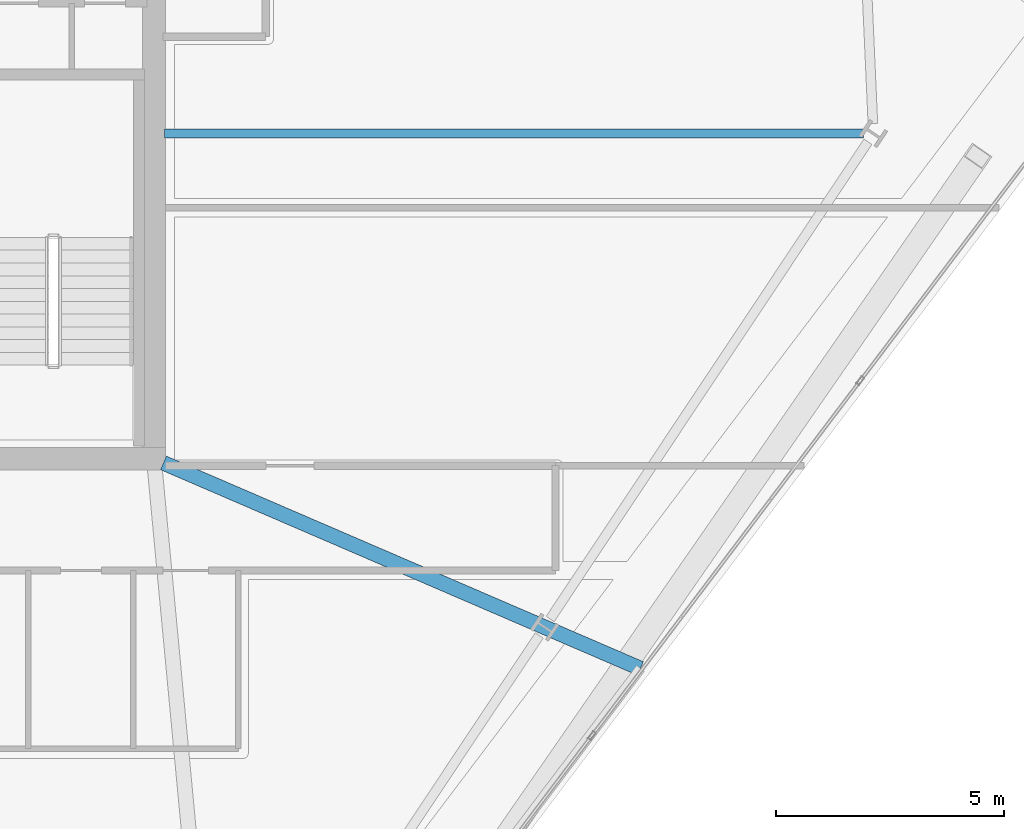
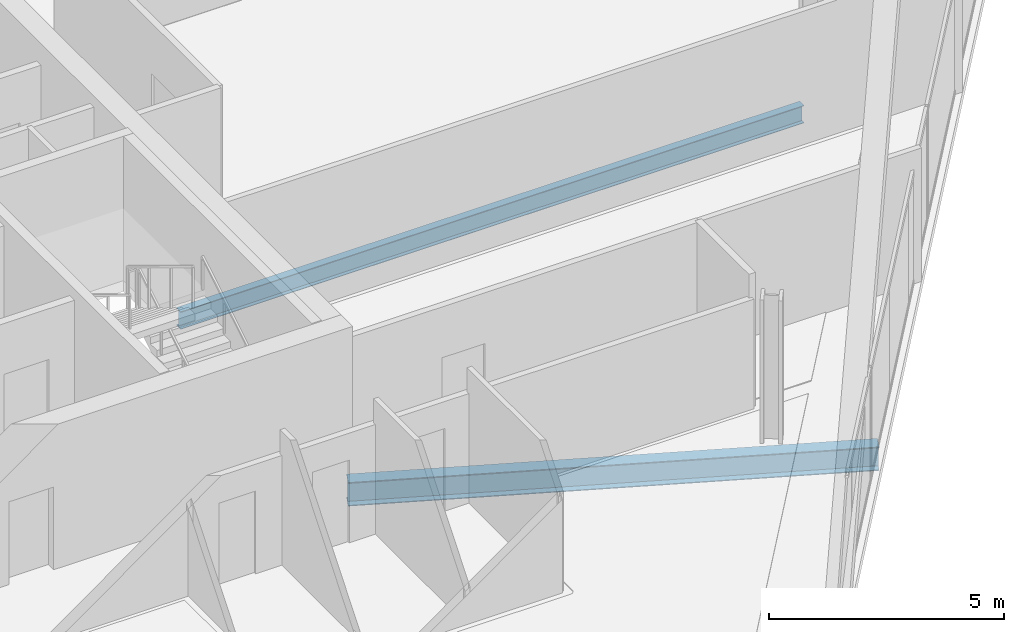
# One storey, part 12 of 34: 2 beams.
"""IFC4 building model written with IfcOpenShell, lengths in metres."""

from ifc_helpers import new_model, si_unit, direction, frame, origin, origin_2d, place, context, subcontext, project, spatial, i_section, extrude, material, material_profile, profile_set, type_object, element, save


model = new_model("IFC4")

# Units and contexts
model_context = context("Model", 3, precision=1e-05, world=origin(), true_north=direction((0.0, 1.0)))
body_context = subcontext(model_context, "Body", "Model", "MODEL_VIEW")
ifc_project = project(units=[si_unit("LENGTHUNIT", "METRE"), si_unit("AREAUNIT", "SQUARE_METRE"), si_unit("VOLUMEUNIT", "CUBIC_METRE"), si_unit("PLANEANGLEUNIT", "RADIAN"), si_unit("MASSUNIT", "GRAM", prefix="KILO")], contexts=[model_context])

# Site, building, storey
site_placement = place(None, origin())
site = spatial("IfcSite", under=ifc_project, at=site_placement, CompositionType="ELEMENT")
building_placement = place(site_placement, origin())
building = spatial("IfcBuilding", under=site, at=building_placement, Name="Haldenkirk Collegiate Tower", CompositionType="ELEMENT")
storey_placement = place(building_placement, frame((0.0, 0.0, 205.949951171875)))
storey = spatial("IfcBuildingStorey", under=building, at=storey_placement, Name="L51", CompositionType="ELEMENT", Elevation=205.949951171875)

# Beams
ifc_material = material(Name="Steel ASTM A992 Grade 50", Category="steel")
ifc_material_profile_1 = material_profile(ifc_material, i_section(OverallWidth=0.324951171875, OverallDepth=0.615966796875, WebThickness=0.013916015625, FlangeThickness=0.021484375, at=origin_2d()), Name="W24X117")
ifc_profile_set_1 = profile_set([ifc_material_profile_1], Name="Steel ASTM A992 Grade 50")
beam_type_1 = type_object("IfcBeamType", Name="BM-GIRDER-W24X117", PredefinedType="BEAM", material=ifc_profile_set_1)
beam_1_placement = place(storey_placement, frame((55.661865234375, 13.40380859375, -0.587890625), z_axis=(-0.918307413805, 0.395868025673, 0.0), x_axis=(-0.395868025673, -0.918307413805, 0.0)))
element("IfcBeam", 1, at=beam_1_placement, inside=storey, type_object=beam_type_1, Name="L51 primary floor girder 06", PredefinedType="BEAM", context=body_context, shape_type="SweptSolid", body=[
    extrude(i_section(OverallWidth=0.324951171875, OverallDepth=0.615966796875, WebThickness=0.013916015625, FlangeThickness=0.021484375, at=origin_2d()), origin(), (0.0, 0.0, 1.0), 11.38037109375),
])
ifc_material_profile_2 = material_profile(ifc_material, i_section(OverallWidth=0.18994140625, OverallDepth=0.45703125, WebThickness=0.009033203125, FlangeThickness=0.014404296875, at=origin_2d()), Name="W18X50")
ifc_profile_set_2 = profile_set([ifc_material_profile_2], Name="Steel ASTM A992 Grade 50")
beam_type_2 = type_object("IfcBeamType", Name="BM-JOIST-W18X50", PredefinedType="JOIST", material=ifc_profile_set_2)
beam_2_placement = place(storey_placement, frame((60.548828125, 25.12646484375, -0.508544921875), z_axis=(-1.0, 0.0, 0.0), x_axis=(0.0, -1.0, 0.0)))
element("IfcBeam", 2, at=beam_2_placement, inside=storey, type_object=beam_type_2, Name="L51 composite floor joist 07", PredefinedType="JOIST", context=body_context, shape_type="SweptSolid", body=[
    extrude(i_section(OverallWidth=0.18994140625, OverallDepth=0.45703125, WebThickness=0.009033203125, FlangeThickness=0.014404296875, at=origin_2d()), origin(), (0.0, 0.0, 1.0), 15.31884765625),
])

save(model, "model.ifc")
